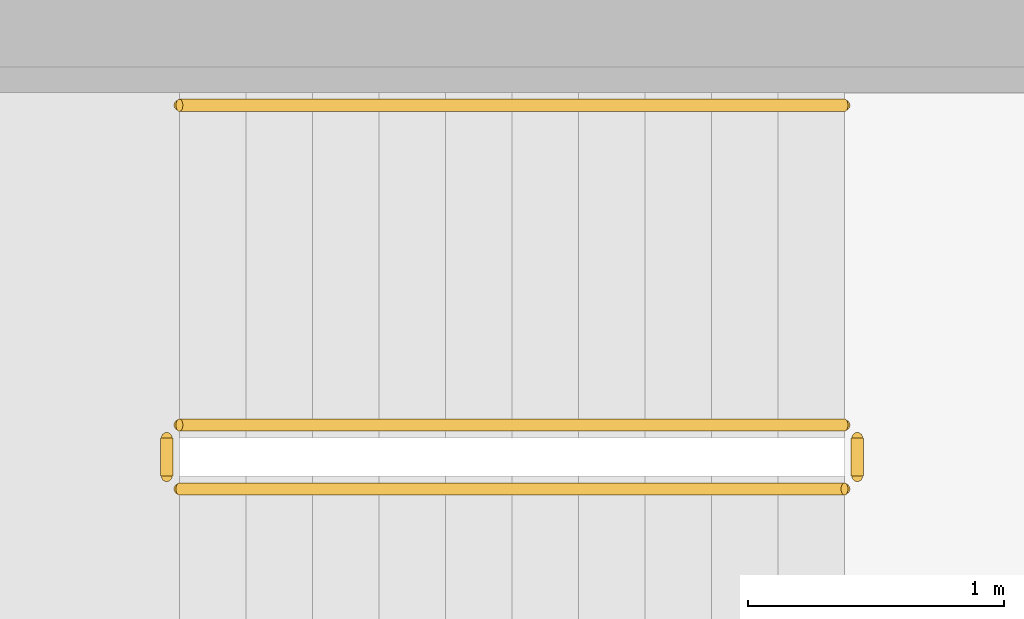
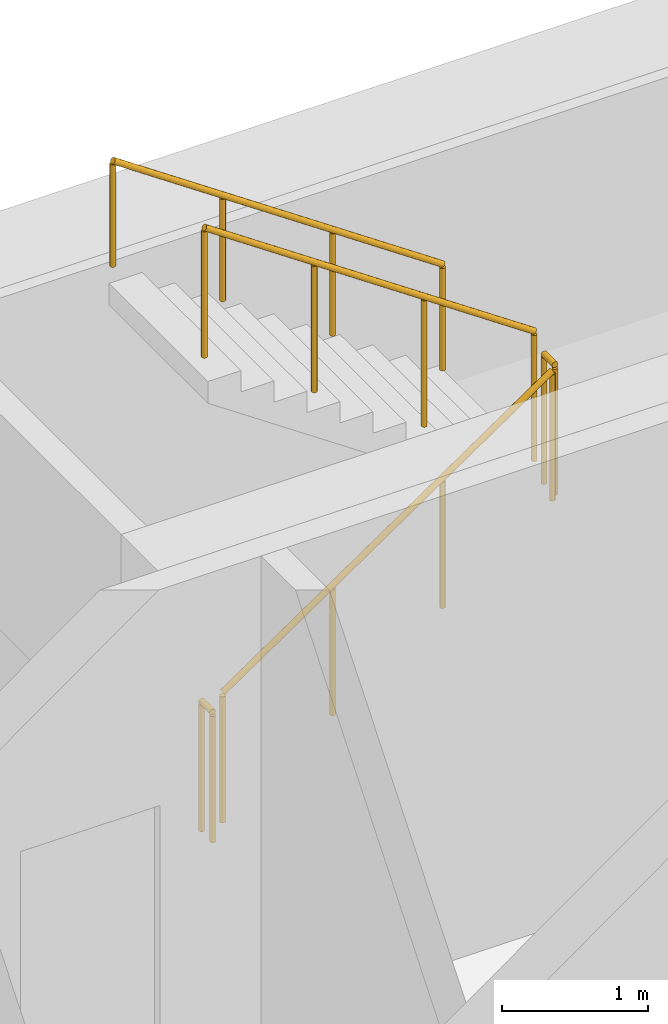
# One storey, part 9 of 9: 5 railings.
"""IFC4 building model written with IfcOpenShell, lengths in metres."""

from ifc_helpers import new_model, si_unit, direction, frame, origin, origin_2d, place, context, subcontext, project, spatial, circle, extrude, material, type_object, element, save


model = new_model("IFC4")

# Units and contexts
model_context = context("Model", 3, precision=1e-05, world=origin(), true_north=direction((0.0, 1.0)))
body_context = subcontext(model_context, "Body", "Model", "MODEL_VIEW")
ifc_project = project(units=[si_unit("LENGTHUNIT", "METRE"), si_unit("AREAUNIT", "SQUARE_METRE"), si_unit("VOLUMEUNIT", "CUBIC_METRE"), si_unit("PLANEANGLEUNIT", "RADIAN"), si_unit("MASSUNIT", "GRAM", prefix="KILO")], contexts=[model_context])

# Site, building, storey
site_placement = place(None, origin())
site = spatial("IfcSite", under=ifc_project, at=site_placement, CompositionType="ELEMENT")
building_placement = place(site_placement, origin())
building = spatial("IfcBuilding", under=site, at=building_placement, Name="White Candle Pilgrim Tower", CompositionType="ELEMENT")
storey_placement = place(building_placement, frame((0.0, 0.0, 227.699951171875)))
storey = spatial("IfcBuildingStorey", under=building, at=storey_placement, Name="L53", CompositionType="ELEMENT", Elevation=227.699951171875)

# Railings
ifc_material = material(Name="Stainless steel", Category="steel")
railing_type_1 = type_object("IfcRailingType", Name="Stair guard stainless steel 1100 mm", PredefinedType="GUARDRAIL", material=ifc_material)
railing_1_placement = place(storey_placement, frame((69.39990234375, 85.550048828125, 0.17724609375)))
element("IfcRailing", 1, at=railing_1_placement, inside=storey, type_object=railing_type_1, Name="L53 ST3 stair guard 1", PredefinedType="GUARDRAIL", context=body_context, shape_type="SweptSolid", body=[
    extrude(circle(Radius=0.02392578125, at=origin_2d()), frame((0.0, 0.0, 1.076171875), z_axis=(0.826240473404, 0.0, 0.563317565952), x_axis=(0.0, 1.0, 0.0)), (0.0, 0.0, 1.0), 3.14697265625),
    extrude(circle(Radius=0.02099609375, at=origin_2d()), origin(), (0.0, 0.0, 1.0), 1.052001953125),
    extrude(circle(Radius=0.02099609375, at=origin_2d()), frame((0.86669921875, 0.0, 0.5908203125)), (0.0, 0.0, 1.0), 1.052001953125),
    extrude(circle(Radius=0.02099609375, at=origin_2d()), frame((1.7333984375, 0.0, 1.181884765625)), (0.0, 0.0, 1.0), 1.052001953125),
    extrude(circle(Radius=0.02099609375, at=origin_2d()), frame((2.60009765625, 0.0, 1.772705078125)), (0.0, 0.0, 1.0), 1.052001953125),
])
railing_2_placement = place(storey_placement, frame((72.050048828125, 85.60009765625, 1.949951171875)))
element("IfcRailing", 2, at=railing_2_placement, inside=storey, type_object=railing_type_1, Name="L53 ST3 stair guard 2", PredefinedType="GUARDRAIL", context=body_context, shape_type="SweptSolid", body=[
    extrude(circle(Radius=0.02392578125, at=origin_2d()), frame((0.0, 0.0, 1.076171875), z_axis=(0.0, 1.0, 0.0), x_axis=(-1.0, 0.0, 0.0)), (0.0, 0.0, 1.0), 0.14990234375),
    extrude(circle(Radius=0.02099609375, at=origin_2d()), origin(), (0.0, 0.0, 1.0), 1.052001953125),
    extrude(circle(Radius=0.02099609375, at=origin_2d()), frame((0.0, 0.14990234375, 0.0)), (0.0, 0.0, 1.0), 1.052001953125),
])
railing_3_placement = place(storey_placement, frame((72.0, 85.800048828125, 2.12744140625)))
element("IfcRailing", 3, at=railing_3_placement, inside=storey, type_object=railing_type_1, Name="L53 ST3 stair guard 3", PredefinedType="GUARDRAIL", context=body_context, shape_type="SweptSolid", body=[
    extrude(circle(Radius=0.02392578125, at=origin_2d()), frame((0.0, 0.0, 1.076171875), z_axis=(-0.826240473404, 0.0, 0.563317565952), x_axis=(0.0, -1.0, 0.0)), (0.0, 0.0, 1.0), 3.14697265625),
    extrude(circle(Radius=0.02099609375, at=origin_2d()), origin(), (0.0, 0.0, 1.0), 1.052001953125),
    extrude(circle(Radius=0.02099609375, at=origin_2d()), frame((-0.86669921875, 0.0, 0.5908203125)), (0.0, 0.0, 1.0), 1.052001953125),
    extrude(circle(Radius=0.02099609375, at=origin_2d()), frame((-1.7333984375, 0.0, 1.181884765625)), (0.0, 0.0, 1.0), 1.052001953125),
    extrude(circle(Radius=0.02099609375, at=origin_2d()), frame((-2.60009765625, 0.0, 1.772705078125)), (0.0, 0.0, 1.0), 1.052001953125),
])
railing_4_placement = place(storey_placement, frame((69.35009765625, 85.60009765625, 0.0)))
element("IfcRailing", 4, at=railing_4_placement, inside=storey, type_object=railing_type_1, Name="L53 ST3 stair guard 4", PredefinedType="GUARDRAIL", context=body_context, shape_type="SweptSolid", body=[
    extrude(circle(Radius=0.02392578125, at=origin_2d()), frame((0.0, 0.0, 1.076171875), z_axis=(0.0, 1.0, 0.0), x_axis=(-1.0, 0.0, 0.0)), (0.0, 0.0, 1.0), 0.14990234375),
    extrude(circle(Radius=0.02099609375, at=origin_2d()), origin(), (0.0, 0.0, 1.0), 1.052001953125),
    extrude(circle(Radius=0.02099609375, at=origin_2d()), frame((0.0, 0.14990234375, 0.0)), (0.0, 0.0, 1.0), 1.052001953125),
])
railing_type_2 = type_object("IfcRailingType", Name="Stair handrail stainless steel", PredefinedType="HANDRAIL", material=ifc_material)
railing_5_placement = place(storey_placement, frame((72.0, 87.050048828125, 2.12744140625)))
element("IfcRailing", 5, at=railing_5_placement, inside=storey, type_object=railing_type_2, Name="L53 ST3 stair handrail 2", PredefinedType="HANDRAIL", context=body_context, shape_type="SweptSolid", body=[
    extrude(circle(Radius=0.02392578125, at=origin_2d()), frame((0.0, 0.0, 0.8759765625), z_axis=(-0.826240473404, 0.0, 0.563317565952), x_axis=(0.0, -1.0, 0.0)), (0.0, 0.0, 1.0), 3.14697265625),
    extrude(circle(Radius=0.02099609375, at=origin_2d()), origin(), (0.0, 0.0, 1.0), 0.851806640625),
    extrude(circle(Radius=0.02099609375, at=origin_2d()), frame((-0.86669921875, 0.0, 0.5908203125)), (0.0, 0.0, 1.0), 0.851806640625),
    extrude(circle(Radius=0.02099609375, at=origin_2d()), frame((-1.7333984375, 0.0, 1.181884765625)), (0.0, 0.0, 1.0), 0.851806640625),
    extrude(circle(Radius=0.02099609375, at=origin_2d()), frame((-2.60009765625, 0.0, 1.772705078125)), (0.0, 0.0, 1.0), 0.851806640625),
])

save(model, "model.ifc")
